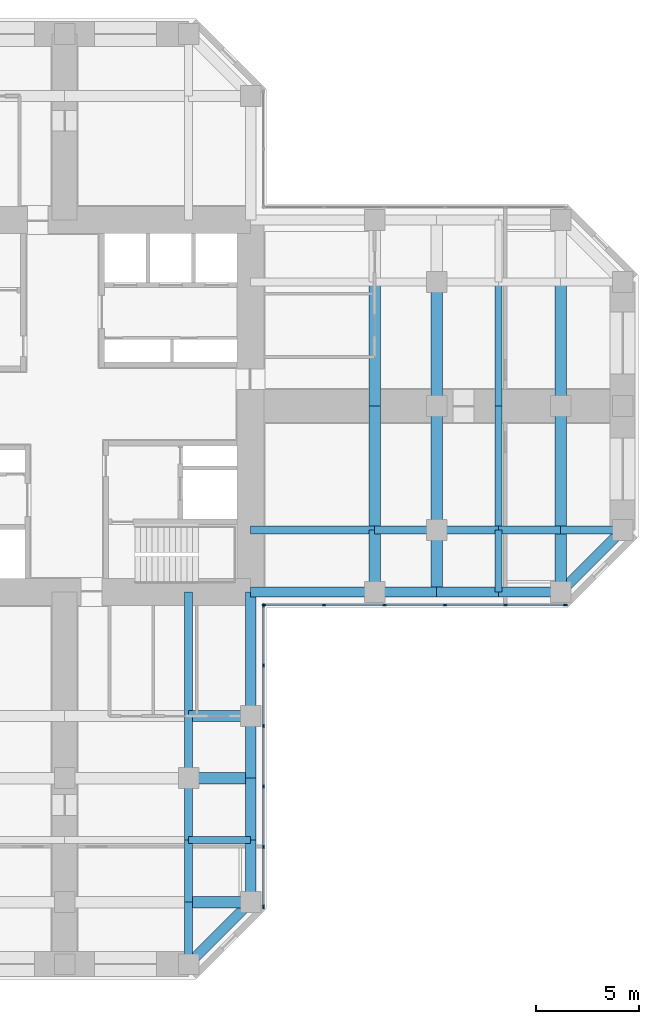
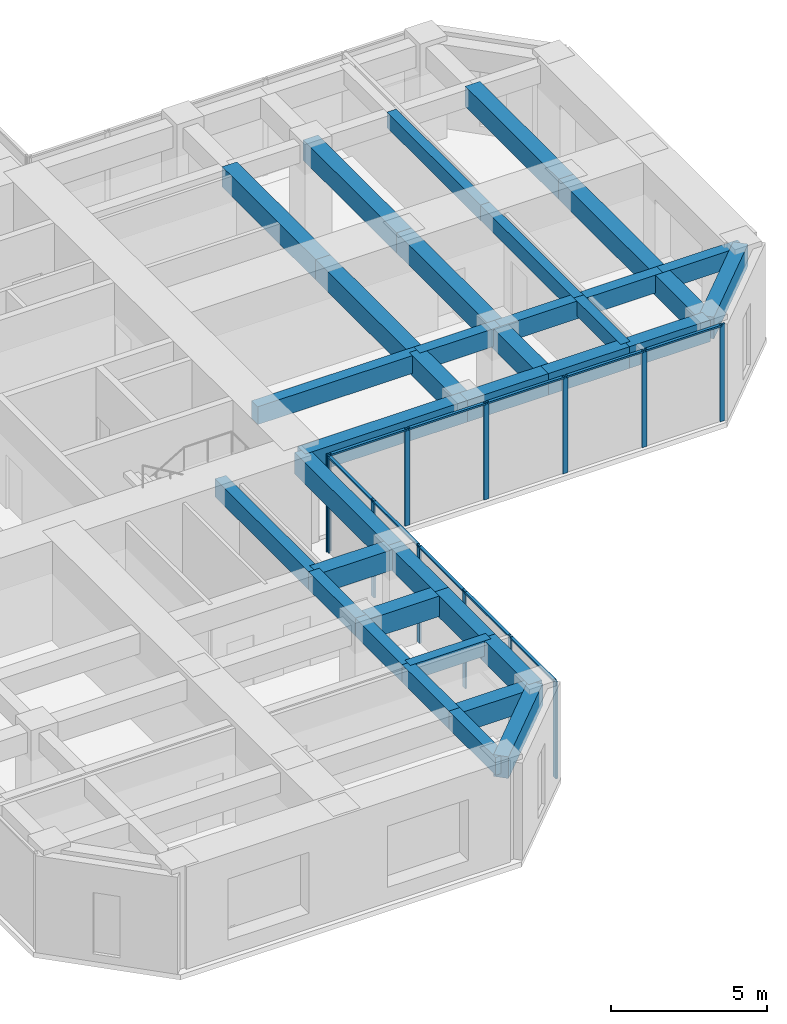
# One storey, part 4 of 12: 36 beams, 22 members, 2 elements without a shape of their own.
"""IFC4 building model written with IfcOpenShell, lengths in metres."""

from ifc_helpers import new_model, si_unit, direction, frame, origin, origin_2d, place, context, subcontext, project, spatial, rectangle, extrude, material, material_profile, profile_set, type_object, element, aggregate, save


model = new_model("IFC4")

# Units and contexts
model_context = context("Model", 3, precision=1e-05, world=origin(), true_north=direction((0.0, 1.0)))
body_context = subcontext(model_context, "Body", "Model", "MODEL_VIEW")
ifc_project = project(units=[si_unit("LENGTHUNIT", "METRE"), si_unit("AREAUNIT", "SQUARE_METRE"), si_unit("VOLUMEUNIT", "CUBIC_METRE"), si_unit("PLANEANGLEUNIT", "RADIAN"), si_unit("MASSUNIT", "GRAM", prefix="KILO")], contexts=[model_context])

# Site, building, storey
site_placement = place(None, origin())
site = spatial("IfcSite", under=ifc_project, at=site_placement, CompositionType="ELEMENT")
building_placement = place(site_placement, origin())
building = spatial("IfcBuilding", under=site, at=building_placement, Name="Torre Cruceta", CompositionType="ELEMENT")
storey_placement = place(building_placement, frame((0.0, 0.0, 148.5)))
storey = spatial("IfcBuildingStorey", under=building, at=storey_placement, Name="L36", CompositionType="ELEMENT", Elevation=148.5)

# Beams
ifc_material_1 = material(Name="Concrete G60 (fck 60 MPa)", Category="concrete")
ifc_material_profile_1 = material_profile(ifc_material_1, rectangle(XDim=0.39990234375, YDim=0.699951171875, at=origin_2d()), Name="RC 400X700")
ifc_profile_set_1 = profile_set([ifc_material_profile_1], Name="Concrete G60 (fck 60 MPa)")
beam_type_1 = type_object("IfcBeamType", Name="COLUMN LINE BEAM RC 400X700", PredefinedType="BEAM", material=ifc_profile_set_1)
beam_1_placement = place(storey_placement, frame((9.0, -6.0, 3.449951171875), z_axis=(1.0, 0.0, 0.0), x_axis=(0.0, 1.0, 0.0)))
element("IfcBeam", 1, at=beam_1_placement, inside=storey, type_object=beam_type_1, Name="LB5 L36 E col- 1", PredefinedType="BEAM", context=body_context, shape_type="SweptSolid", body=[
    extrude(rectangle(XDim=0.39990234375, YDim=0.699951171875, at=origin_2d()), origin(), (0.0, 0.0, 1.0), 6.0),
])
for number, where, z_axis, x_axis, name in (
    (2, (15.0, -6.0, 3.449951171875), (1.0, 0.0, 0.0), (0.0, 1.0, 0.0), "LB5 L36 E col- 2"),
    (3, (18.0, -6.0, 3.449951171875), (1.0, 0.0, 0.0), (0.0, 1.0, 0.0), "LB5 L36 E col- 3"),
    (4, (21.0, -6.0, 3.449951171875), (1.0, 0.0, 0.0), (0.0, 1.0, 0.0), "LB5 L36 E col- 4"),
    (5, (24.0, -6.0, 3.449951171875), (1.0, 0.0, 0.0), (0.0, 1.0, 0.0), "LB5 L36 E col- 5"),
):
    element("IfcBeam", number, at=place(storey_placement, frame(where, z_axis=z_axis, x_axis=x_axis)), inside=storey, type_object=beam_type_1, Name=name, PredefinedType="BEAM", context=body_context, shape_type="SweptSolid", body=[
        extrude(rectangle(XDim=0.39990234375, YDim=0.699951171875, at=origin_2d()), origin(), (0.0, 0.0, 1.0), 3.0),
    ])
beam_2_placement = place(storey_placement, frame((6.0, -9.0, 3.449951171875), z_axis=(0.0, -1.0, 0.0), x_axis=(1.0, 0.0, 0.0)))
element("IfcBeam", 6, at=beam_2_placement, inside=storey, type_object=beam_type_1, Name="LB5 L36 S col+ 1", PredefinedType="BEAM", context=body_context, shape_type="SweptSolid", body=[
    extrude(rectangle(XDim=0.39990234375, YDim=0.699951171875, at=origin_2d()), origin(), (0.0, 0.0, 1.0), 6.0),
])
for number, where, z_axis, x_axis, name in (
    (7, (6.0, -15.0, 3.449951171875), (0.0, -1.0, 0.0), (1.0, 0.0, 0.0), "LB5 L36 S col+ 2"),
    (8, (6.0, -18.0, 3.449951171875), (0.0, -1.0, 0.0), (1.0, 0.0, 0.0), "LB5 L36 S col+ 3"),
    (9, (6.0, -21.0, 3.449951171875), (0.0, -1.0, 0.0), (1.0, 0.0, 0.0), "LB5 L36 S col+ 4"),
    (10, (6.0, -24.0, 3.449951171875), (0.0, -1.0, 0.0), (1.0, 0.0, 0.0), "LB5 L36 S col+ 5"),
):
    element("IfcBeam", number, at=place(storey_placement, frame(where, z_axis=z_axis, x_axis=x_axis)), inside=storey, type_object=beam_type_1, Name=name, PredefinedType="BEAM", context=body_context, shape_type="SweptSolid", body=[
        extrude(rectangle(XDim=0.39990234375, YDim=0.699951171875, at=origin_2d()), origin(), (0.0, 0.0, 1.0), 3.0),
    ])
ifc_material_2 = material(Name="Concrete G60 (fck 60 MPa)", Category="concrete")
ifc_material_profile_2 = material_profile(ifc_material_2, rectangle(XDim=0.550048828125, YDim=0.800048828125, at=origin_2d()), Name="RC 550X800")
ifc_profile_set_2 = profile_set([ifc_material_profile_2], Name="Concrete G60 (fck 60 MPa)")
beam_type_2 = type_object("IfcBeamType", Name="CROSS BEAM RC 550X800", PredefinedType="BEAM", material=ifc_profile_set_2)
beam_3_placement = place(storey_placement, frame((15.0, -9.0, 3.39990234375), z_axis=(0.0, 1.0, 0.0), x_axis=(-1.0, 0.0, 0.0)))
element("IfcBeam", 11, at=beam_3_placement, inside=storey, type_object=beam_type_2, Name="GB5 L36 E cross15 1", PredefinedType="BEAM", context=body_context, shape_type="SweptSolid", body=[
    extrude(rectangle(XDim=0.550048828125, YDim=0.800048828125, at=origin_2d()), origin(), (0.0, 0.0, 1.0), 3.0),
])
for number, where, z_axis, x_axis, name in (
    (12, (15.0, -6.0, 3.39990234375), (0.0, 1.0, 0.0), (-1.0, 0.0, 0.0), "GB5 L36 E cross15 2"),
    (13, (15.0, 0.0, 3.39990234375), (0.0, 1.0, 0.0), (-1.0, 0.0, 0.0), "GB5 L36 E cross15 3"),
):
    element("IfcBeam", number, at=place(storey_placement, frame(where, z_axis=z_axis, x_axis=x_axis)), inside=storey, type_object=beam_type_2, Name=name, PredefinedType="BEAM", context=body_context, shape_type="SweptSolid", body=[
        extrude(rectangle(XDim=0.550048828125, YDim=0.800048828125, at=origin_2d()), origin(), (0.0, 0.0, 1.0), 6.0),
    ])
beam_4_placement = place(storey_placement, frame((18.0, -9.0, 3.39990234375), z_axis=(0.0, 1.0, 0.0), x_axis=(-1.0, 0.0, 0.0)))
element("IfcBeam", 14, at=beam_4_placement, inside=storey, type_object=beam_type_2, Name="GB5 L36 E cross18 1", PredefinedType="BEAM", context=body_context, shape_type="SweptSolid", body=[
    extrude(rectangle(XDim=0.550048828125, YDim=0.800048828125, at=origin_2d()), origin(), (0.0, 0.0, 1.0), 3.0),
])
for number, where, z_axis, x_axis, name in (
    (15, (18.0, -6.0, 3.39990234375), (0.0, 1.0, 0.0), (-1.0, 0.0, 0.0), "GB5 L36 E cross18 2"),
    (16, (18.0, 0.0, 3.39990234375), (0.0, 1.0, 0.0), (-1.0, 0.0, 0.0), "GB5 L36 E cross18 3"),
):
    element("IfcBeam", number, at=place(storey_placement, frame(where, z_axis=z_axis, x_axis=x_axis)), inside=storey, type_object=beam_type_2, Name=name, PredefinedType="BEAM", context=body_context, shape_type="SweptSolid", body=[
        extrude(rectangle(XDim=0.550048828125, YDim=0.800048828125, at=origin_2d()), origin(), (0.0, 0.0, 1.0), 6.0),
    ])
beam_5_placement = place(storey_placement, frame((24.0, -9.0, 3.39990234375), z_axis=(0.0, 1.0, 0.0), x_axis=(-1.0, 0.0, 0.0)))
element("IfcBeam", 17, at=beam_5_placement, inside=storey, type_object=beam_type_2, Name="GB5 L36 E cross24 1", PredefinedType="BEAM", context=body_context, shape_type="SweptSolid", body=[
    extrude(rectangle(XDim=0.550048828125, YDim=0.800048828125, at=origin_2d()), origin(), (0.0, 0.0, 1.0), 3.0),
])
for number, where, z_axis, x_axis, name in (
    (18, (24.0, -6.0, 3.39990234375), (0.0, 1.0, 0.0), (-1.0, 0.0, 0.0), "GB5 L36 E cross24 2"),
    (19, (24.0, 0.0, 3.39990234375), (0.0, 1.0, 0.0), (-1.0, 0.0, 0.0), "GB5 L36 E cross24 3"),
):
    element("IfcBeam", number, at=place(storey_placement, frame(where, z_axis=z_axis, x_axis=x_axis)), inside=storey, type_object=beam_type_2, Name=name, PredefinedType="BEAM", context=body_context, shape_type="SweptSolid", body=[
        extrude(rectangle(XDim=0.550048828125, YDim=0.800048828125, at=origin_2d()), origin(), (0.0, 0.0, 1.0), 6.0),
    ])
for number, where, z_axis, x_axis, name in (
    (20, (6.0, -15.0, 3.39990234375), (1.0, 0.0, 0.0), (0.0, 1.0, 0.0), "GB5 L36 S cross15 4"),
    (21, (6.0, -18.0, 3.39990234375), (1.0, 0.0, 0.0), (0.0, 1.0, 0.0), "GB5 L36 S cross18 4"),
    (22, (6.0, -24.0, 3.39990234375), (1.0, 0.0, 0.0), (0.0, 1.0, 0.0), "GB5 L36 S cross24 4"),
):
    element("IfcBeam", number, at=place(storey_placement, frame(where, z_axis=z_axis, x_axis=x_axis)), inside=storey, type_object=beam_type_2, Name=name, PredefinedType="BEAM", context=body_context, shape_type="SweptSolid", body=[
        extrude(rectangle(XDim=0.550048828125, YDim=0.800048828125, at=origin_2d()), origin(), (0.0, 0.0, 1.0), 3.0),
    ])

# Curtain wall, members
ifc_material_3 = material(Name="Aluminium unitised curtain wall", Category="aluminium")
curtain_wall_type = type_object("IfcCurtainWallType", Name="CURTAIN WALL CW-B OFFICE MID RISE", PredefinedType="USERDEFINED", material=ifc_material_3)
curtain_wall_1_placement = place(storey_placement, origin())
curtain_wall_1 = element("IfcCurtainWall", 23, at=curtain_wall_1_placement, inside=storey, type_object=curtain_wall_type, Name="CW-B L36 E side 00", ObjectType="UNITISED", PredefinedType="USERDEFINED")
ifc_material_4 = material(Name="Aluminium mullion", Category="aluminium")
ifc_material_profile_3 = material_profile(ifc_material_4, rectangle(XDim=0.06494140625, YDim=0.179931640625, at=origin_2d()), Name="AL 65X180")
ifc_profile_set_3 = profile_set([ifc_material_profile_3], Name="Aluminium mullion")
member_type_1 = type_object("IfcMemberType", Name="CW-B MULLION 65X180", PredefinedType="MULLION", material=ifc_profile_set_3)
member_1_placement = place(storey_placement, frame((9.652587890625, -9.6201171875, 0.0), z_axis=(0.0, 0.0, 1.0), x_axis=(0.0, 1.0, 0.0)))
member_1 = element("IfcMember", 24, at=member_1_placement, type_object=member_type_1, Name="CW-B mullion 1", PredefinedType="MULLION", context=body_context, shape_type="SweptSolid", body=[
    extrude(rectangle(XDim=0.06494140625, YDim=0.179931640625, at=origin_2d()), origin(), (0.0, 0.0, 1.0), 3.800048828125),
])
member_2_placement = place(storey_placement, frame((12.54736328125, -9.6201171875, 0.0), z_axis=(0.0, 0.0, 1.0), x_axis=(0.0, 1.0, 0.0)))
member_2 = element("IfcMember", 25, at=member_2_placement, type_object=member_type_1, Name="CW-B mullion 2", PredefinedType="MULLION", context=body_context, shape_type="SweptSolid", body=[
    extrude(rectangle(XDim=0.06494140625, YDim=0.179931640625, at=origin_2d()), origin(), (0.0, 0.0, 1.0), 3.800048828125),
])
member_3_placement = place(storey_placement, frame((15.474609375, -9.6201171875, 0.0), z_axis=(0.0, 0.0, 1.0), x_axis=(0.0, 1.0, 0.0)))
member_3 = element("IfcMember", 26, at=member_3_placement, type_object=member_type_1, Name="CW-B mullion 3", PredefinedType="MULLION", context=body_context, shape_type="SweptSolid", body=[
    extrude(rectangle(XDim=0.06494140625, YDim=0.179931640625, at=origin_2d()), origin(), (0.0, 0.0, 1.0), 3.800048828125),
])
member_4_placement = place(storey_placement, frame((18.402099609375, -9.6201171875, 0.0), z_axis=(0.0, 0.0, 1.0), x_axis=(0.0, 1.0, 0.0)))
member_4 = element("IfcMember", 27, at=member_4_placement, type_object=member_type_1, Name="CW-B mullion 4", PredefinedType="MULLION", context=body_context, shape_type="SweptSolid", body=[
    extrude(rectangle(XDim=0.06494140625, YDim=0.179931640625, at=origin_2d()), origin(), (0.0, 0.0, 1.0), 3.800048828125),
])
member_5_placement = place(storey_placement, frame((21.329345703125, -9.6201171875, 0.0), z_axis=(0.0, 0.0, 1.0), x_axis=(0.0, 1.0, 0.0)))
member_5 = element("IfcMember", 28, at=member_5_placement, type_object=member_type_1, Name="CW-B mullion 5", PredefinedType="MULLION", context=body_context, shape_type="SweptSolid", body=[
    extrude(rectangle(XDim=0.06494140625, YDim=0.179931640625, at=origin_2d()), origin(), (0.0, 0.0, 1.0), 3.800048828125),
])
member_6_placement = place(storey_placement, frame((24.224365234375, -9.6201171875, 0.0), z_axis=(0.0, 0.0, 1.0), x_axis=(0.0, 1.0, 0.0)))
member_6 = element("IfcMember", 29, at=member_6_placement, type_object=member_type_1, Name="CW-B mullion 6", PredefinedType="MULLION", context=body_context, shape_type="SweptSolid", body=[
    extrude(rectangle(XDim=0.06494140625, YDim=0.179931640625, at=origin_2d()), origin(), (0.0, 0.0, 1.0), 3.800048828125),
])

curtain_wall_2_placement = place(storey_placement, origin())
curtain_wall_2 = element("IfcCurtainWall", 30, at=curtain_wall_2_placement, inside=storey, type_object=curtain_wall_type, Name="CW-B L36 S side 19", ObjectType="UNITISED", PredefinedType="USERDEFINED")
member_7_placement = place(storey_placement, frame((9.6201171875, -24.224365234375, 0.0), z_axis=(0.0, 0.0, 1.0), x_axis=(-1.0, 0.0, 0.0)))
member_7 = element("IfcMember", 31, at=member_7_placement, type_object=member_type_1, Name="CW-B mullion 1", PredefinedType="MULLION", context=body_context, shape_type="SweptSolid", body=[
    extrude(rectangle(XDim=0.06494140625, YDim=0.179931640625, at=origin_2d()), origin(), (0.0, 0.0, 1.0), 3.800048828125),
])
member_8_placement = place(storey_placement, frame((9.6201171875, -21.329345703125, 0.0), z_axis=(0.0, 0.0, 1.0), x_axis=(-1.0, 0.0, 0.0)))
member_8 = element("IfcMember", 32, at=member_8_placement, type_object=member_type_1, Name="CW-B mullion 2", PredefinedType="MULLION", context=body_context, shape_type="SweptSolid", body=[
    extrude(rectangle(XDim=0.06494140625, YDim=0.179931640625, at=origin_2d()), origin(), (0.0, 0.0, 1.0), 3.800048828125),
])
member_9_placement = place(storey_placement, frame((9.6201171875, -18.402099609375, 0.0), z_axis=(0.0, 0.0, 1.0), x_axis=(-1.0, 0.0, 0.0)))
member_9 = element("IfcMember", 33, at=member_9_placement, type_object=member_type_1, Name="CW-B mullion 3", PredefinedType="MULLION", context=body_context, shape_type="SweptSolid", body=[
    extrude(rectangle(XDim=0.06494140625, YDim=0.179931640625, at=origin_2d()), origin(), (0.0, 0.0, 1.0), 3.800048828125),
])
member_10_placement = place(storey_placement, frame((9.6201171875, -15.474609375, 0.0), z_axis=(0.0, 0.0, 1.0), x_axis=(-1.0, 0.0, 0.0)))
member_10 = element("IfcMember", 34, at=member_10_placement, type_object=member_type_1, Name="CW-B mullion 4", PredefinedType="MULLION", context=body_context, shape_type="SweptSolid", body=[
    extrude(rectangle(XDim=0.06494140625, YDim=0.179931640625, at=origin_2d()), origin(), (0.0, 0.0, 1.0), 3.800048828125),
])
member_11_placement = place(storey_placement, frame((9.6201171875, -12.54736328125, 0.0), z_axis=(0.0, 0.0, 1.0), x_axis=(-1.0, 0.0, 0.0)))
member_11 = element("IfcMember", 35, at=member_11_placement, type_object=member_type_1, Name="CW-B mullion 5", PredefinedType="MULLION", context=body_context, shape_type="SweptSolid", body=[
    extrude(rectangle(XDim=0.06494140625, YDim=0.179931640625, at=origin_2d()), origin(), (0.0, 0.0, 1.0), 3.800048828125),
])
member_12_placement = place(storey_placement, frame((9.6201171875, -9.652587890625, 0.0), z_axis=(0.0, 0.0, 1.0), x_axis=(-1.0, 0.0, 0.0)))
member_12 = element("IfcMember", 36, at=member_12_placement, type_object=member_type_1, Name="CW-B mullion 6", PredefinedType="MULLION", context=body_context, shape_type="SweptSolid", body=[
    extrude(rectangle(XDim=0.06494140625, YDim=0.179931640625, at=origin_2d()), origin(), (0.0, 0.0, 1.0), 3.800048828125),
])

# Member
ifc_material_5 = material(Name="Aluminium transom", Category="aluminium")
ifc_material_profile_4 = material_profile(ifc_material_5, rectangle(XDim=0.110107421875, YDim=0.06494140625, at=origin_2d()), Name="AL 110X65")
ifc_profile_set_4 = profile_set([ifc_material_profile_4], Name="Aluminium transom")
member_type_2 = type_object("IfcMemberType", Name="CW-B TRANSOM 65X110", PredefinedType="USERDEFINED", material=ifc_profile_set_4)
member_13_placement = place(storey_placement, frame((9.68505859375, -9.6201171875, 3.767578125), z_axis=(1.0, 0.0, 0.0), x_axis=(0.0, 1.0, 0.0)))
member_13 = element("IfcMember", 37, at=member_13_placement, type_object=member_type_2, Name="CW-B transom 1", ObjectType="TRANSOM", PredefinedType="USERDEFINED", context=body_context, shape_type="SweptSolid", body=[
    extrude(rectangle(XDim=0.110107421875, YDim=0.06494140625, at=origin_2d()), origin(), (0.0, 0.0, 1.0), 2.829833984375),
])

member_14_placement = place(storey_placement, frame((12.579833984375, -9.6201171875, 3.767578125), z_axis=(1.0, 0.0, 0.0), x_axis=(0.0, 1.0, 0.0)))
member_14 = element("IfcMember", 38, at=member_14_placement, type_object=member_type_2, Name="CW-B transom 2", ObjectType="TRANSOM", PredefinedType="USERDEFINED", context=body_context, shape_type="SweptSolid", body=[
    extrude(rectangle(XDim=0.110107421875, YDim=0.06494140625, at=origin_2d()), origin(), (0.0, 0.0, 1.0), 2.8623046875),
])

member_15_placement = place(storey_placement, frame((15.50732421875, -9.6201171875, 3.767578125), z_axis=(1.0, 0.0, 0.0), x_axis=(0.0, 1.0, 0.0)))
member_15 = element("IfcMember", 39, at=member_15_placement, type_object=member_type_2, Name="CW-B transom 3", ObjectType="TRANSOM", PredefinedType="USERDEFINED", context=body_context, shape_type="SweptSolid", body=[
    extrude(rectangle(XDim=0.110107421875, YDim=0.06494140625, at=origin_2d()), origin(), (0.0, 0.0, 1.0), 2.8623046875),
])

member_16_placement = place(storey_placement, frame((18.4345703125, -9.6201171875, 3.767578125), z_axis=(1.0, 0.0, 0.0), x_axis=(0.0, 1.0, 0.0)))
member_16 = element("IfcMember", 40, at=member_16_placement, type_object=member_type_2, Name="CW-B transom 4", ObjectType="TRANSOM", PredefinedType="USERDEFINED", context=body_context, shape_type="SweptSolid", body=[
    extrude(rectangle(XDim=0.110107421875, YDim=0.06494140625, at=origin_2d()), origin(), (0.0, 0.0, 1.0), 2.8623046875),
])

member_17_placement = place(storey_placement, frame((21.362060546875, -9.6201171875, 3.767578125), z_axis=(1.0, 0.0, 0.0), x_axis=(0.0, 1.0, 0.0)))
member_17 = element("IfcMember", 41, at=member_17_placement, type_object=member_type_2, Name="CW-B transom 5", ObjectType="TRANSOM", PredefinedType="USERDEFINED", context=body_context, shape_type="SweptSolid", body=[
    extrude(rectangle(XDim=0.110107421875, YDim=0.06494140625, at=origin_2d()), origin(), (0.0, 0.0, 1.0), 2.829833984375),
])

aggregate(curtain_wall_1, [member_1, member_2, member_3, member_4, member_5, member_6, member_13, member_14, member_15, member_16, member_17])

member_18_placement = place(storey_placement, frame((9.6201171875, -24.19189453125, 3.767578125), z_axis=(0.0, 1.0, 0.0), x_axis=(-1.0, 0.0, 0.0)))
member_18 = element("IfcMember", 42, at=member_18_placement, type_object=member_type_2, Name="CW-B transom 1", ObjectType="TRANSOM", PredefinedType="USERDEFINED", context=body_context, shape_type="SweptSolid", body=[
    extrude(rectangle(XDim=0.110107421875, YDim=0.06494140625, at=origin_2d()), origin(), (0.0, 0.0, 1.0), 2.829833984375),
])

member_19_placement = place(storey_placement, frame((9.6201171875, -21.296875, 3.767578125), z_axis=(0.0, 1.0, 0.0), x_axis=(-1.0, 0.0, 0.0)))
member_19 = element("IfcMember", 43, at=member_19_placement, type_object=member_type_2, Name="CW-B transom 2", ObjectType="TRANSOM", PredefinedType="USERDEFINED", context=body_context, shape_type="SweptSolid", body=[
    extrude(rectangle(XDim=0.110107421875, YDim=0.06494140625, at=origin_2d()), origin(), (0.0, 0.0, 1.0), 2.8623046875),
])

member_20_placement = place(storey_placement, frame((9.6201171875, -18.36962890625, 3.767578125), z_axis=(0.0, 1.0, 0.0), x_axis=(-1.0, 0.0, 0.0)))
member_20 = element("IfcMember", 44, at=member_20_placement, type_object=member_type_2, Name="CW-B transom 3", ObjectType="TRANSOM", PredefinedType="USERDEFINED", context=body_context, shape_type="SweptSolid", body=[
    extrude(rectangle(XDim=0.110107421875, YDim=0.06494140625, at=origin_2d()), origin(), (0.0, 0.0, 1.0), 2.8623046875),
])

member_21_placement = place(storey_placement, frame((9.6201171875, -15.442138671875, 3.767578125), z_axis=(0.0, 1.0, 0.0), x_axis=(-1.0, 0.0, 0.0)))
member_21 = element("IfcMember", 45, at=member_21_placement, type_object=member_type_2, Name="CW-B transom 4", ObjectType="TRANSOM", PredefinedType="USERDEFINED", context=body_context, shape_type="SweptSolid", body=[
    extrude(rectangle(XDim=0.110107421875, YDim=0.06494140625, at=origin_2d()), origin(), (0.0, 0.0, 1.0), 2.8623046875),
])

member_22_placement = place(storey_placement, frame((9.6201171875, -12.514892578125, 3.767578125), z_axis=(0.0, 1.0, 0.0), x_axis=(-1.0, 0.0, 0.0)))
member_22 = element("IfcMember", 46, at=member_22_placement, type_object=member_type_2, Name="CW-B transom 5", ObjectType="TRANSOM", PredefinedType="USERDEFINED", context=body_context, shape_type="SweptSolid", body=[
    extrude(rectangle(XDim=0.110107421875, YDim=0.06494140625, at=origin_2d()), origin(), (0.0, 0.0, 1.0), 2.829833984375),
])

aggregate(curtain_wall_2, [member_7, member_8, member_9, member_10, member_11, member_12, member_18, member_19, member_20, member_21, member_22])

# Beams
ifc_material_6 = material(Name="Concrete G60 (fck 60 MPa)", Category="concrete")
ifc_material_profile_5 = material_profile(ifc_material_6, rectangle(XDim=0.35009765625, YDim=0.60009765625, at=origin_2d()), Name="RC 350X600")
ifc_profile_set_5 = profile_set([ifc_material_profile_5], Name="Concrete G60 (fck 60 MPa)")
beam_type_3 = type_object("IfcBeamType", Name="SECONDARY BEAM RC 350X600", PredefinedType="JOIST", material=ifc_profile_set_5)
beam_6_placement = place(storey_placement, frame((21.0, -9.0, 3.5), z_axis=(0.0, 1.0, 0.0), x_axis=(-1.0, 0.0, 0.0)))
element("IfcBeam", 47, at=beam_6_placement, inside=storey, type_object=beam_type_3, Name="JB5 L36 E sec21 1", PredefinedType="JOIST", context=body_context, shape_type="SweptSolid", body=[
    extrude(rectangle(XDim=0.35009765625, YDim=0.60009765625, at=origin_2d()), origin(), (0.0, 0.0, 1.0), 3.0),
])
for number, where, z_axis, x_axis, name in (
    (48, (21.0, -6.0, 3.5), (0.0, 1.0, 0.0), (-1.0, 0.0, 0.0), "JB5 L36 E sec21 2"),
    (49, (21.0, 0.0, 3.5), (0.0, 1.0, 0.0), (-1.0, 0.0, 0.0), "JB5 L36 E sec21 3"),
):
    element("IfcBeam", number, at=place(storey_placement, frame(where, z_axis=z_axis, x_axis=x_axis)), inside=storey, type_object=beam_type_3, Name=name, PredefinedType="JOIST", context=body_context, shape_type="SweptSolid", body=[
        extrude(rectangle(XDim=0.35009765625, YDim=0.60009765625, at=origin_2d()), origin(), (0.0, 0.0, 1.0), 6.0),
    ])
beam_7_placement = place(storey_placement, frame((6.0, -21.0, 3.5), z_axis=(1.0, 0.0, 0.0), x_axis=(0.0, 1.0, 0.0)))
element("IfcBeam", 50, at=beam_7_placement, inside=storey, type_object=beam_type_3, Name="JB5 L36 S sec21 4", PredefinedType="JOIST", context=body_context, shape_type="SweptSolid", body=[
    extrude(rectangle(XDim=0.35009765625, YDim=0.60009765625, at=origin_2d()), origin(), (0.0, 0.0, 1.0), 3.0),
])
ifc_material_7 = material(Name="Concrete G60 (fck 60 MPa)", Category="concrete")
ifc_material_profile_6 = material_profile(ifc_material_7, rectangle(XDim=0.5, YDim=0.85009765625, at=origin_2d()), Name="RC 500X850")
ifc_profile_set_6 = profile_set([ifc_material_profile_6], Name="Concrete G60 (fck 60 MPa)")
beam_type_4 = type_object("IfcBeamType", Name="SPANDREL BEAM RC 500X850", PredefinedType="SPANDREL", material=ifc_profile_set_6)
beam_8_placement = place(storey_placement, frame((9.0, -9.0, 3.375), z_axis=(1.0, 0.0, 0.0), x_axis=(0.0, 1.0, 0.0)))
element("IfcBeam", 51, at=beam_8_placement, inside=storey, type_object=beam_type_4, Name="SB5 L36 E side- 1", PredefinedType="SPANDREL", context=body_context, shape_type="SweptSolid", body=[
    extrude(rectangle(XDim=0.5, YDim=0.85009765625, at=origin_2d()), origin(), (0.0, 0.0, 1.0), 6.0),
])
for number, where, z_axis, x_axis, name in (
    (52, (15.0, -9.0, 3.375), (1.0, 0.0, 0.0), (0.0, 1.0, 0.0), "SB5 L36 E side- 2"),
    (53, (18.0, -9.0, 3.375), (1.0, 0.0, 0.0), (0.0, 1.0, 0.0), "SB5 L36 E side- 3"),
    (54, (21.0, -9.0, 3.375), (1.0, 0.0, 0.0), (0.0, 1.0, 0.0), "SB5 L36 E side- 4"),
):
    element("IfcBeam", number, at=place(storey_placement, frame(where, z_axis=z_axis, x_axis=x_axis)), inside=storey, type_object=beam_type_4, Name=name, PredefinedType="SPANDREL", context=body_context, shape_type="SweptSolid", body=[
        extrude(rectangle(XDim=0.5, YDim=0.85009765625, at=origin_2d()), origin(), (0.0, 0.0, 1.0), 3.0),
    ])
beam_9_placement = place(storey_placement, frame((24.0, -9.0, 3.375), z_axis=(0.707106781187, 0.707106781187, 0.0), x_axis=(-0.707106781187, 0.707106781187, 0.0)))
element("IfcBeam", 55, at=beam_9_placement, inside=storey, type_object=beam_type_4, Name="SB5 L36 E side- 5", PredefinedType="SPANDREL", context=body_context, shape_type="SweptSolid", body=[
    extrude(rectangle(XDim=0.5, YDim=0.85009765625, at=origin_2d()), origin(), (0.0, 0.0, 1.0), 4.24267578125),
])
beam_10_placement = place(storey_placement, frame((9.0, -9.0, 3.375), z_axis=(0.0, -1.0, 0.0), x_axis=(1.0, 0.0, 0.0)))
element("IfcBeam", 56, at=beam_10_placement, inside=storey, type_object=beam_type_4, Name="SB5 L36 S side+ 1", PredefinedType="SPANDREL", context=body_context, shape_type="SweptSolid", body=[
    extrude(rectangle(XDim=0.5, YDim=0.85009765625, at=origin_2d()), origin(), (0.0, 0.0, 1.0), 6.0),
])
for number, where, z_axis, x_axis, name in (
    (57, (9.0, -15.0, 3.375), (0.0, -1.0, 0.0), (1.0, 0.0, 0.0), "SB5 L36 S side+ 2"),
    (58, (9.0, -18.0, 3.375), (0.0, -1.0, 0.0), (1.0, 0.0, 0.0), "SB5 L36 S side+ 3"),
    (59, (9.0, -21.0, 3.375), (0.0, -1.0, 0.0), (1.0, 0.0, 0.0), "SB5 L36 S side+ 4"),
):
    element("IfcBeam", number, at=place(storey_placement, frame(where, z_axis=z_axis, x_axis=x_axis)), inside=storey, type_object=beam_type_4, Name=name, PredefinedType="SPANDREL", context=body_context, shape_type="SweptSolid", body=[
        extrude(rectangle(XDim=0.5, YDim=0.85009765625, at=origin_2d()), origin(), (0.0, 0.0, 1.0), 3.0),
    ])
beam_11_placement = place(storey_placement, frame((9.0, -24.0, 3.375), z_axis=(-0.707106781187, -0.707106781187, 0.0), x_axis=(0.707106781187, -0.707106781187, 0.0)))
element("IfcBeam", 60, at=beam_11_placement, inside=storey, type_object=beam_type_4, Name="SB5 L36 S side+ 5", PredefinedType="SPANDREL", context=body_context, shape_type="SweptSolid", body=[
    extrude(rectangle(XDim=0.5, YDim=0.85009765625, at=origin_2d()), origin(), (0.0, 0.0, 1.0), 4.24267578125),
])

save(model, "model.ifc")
